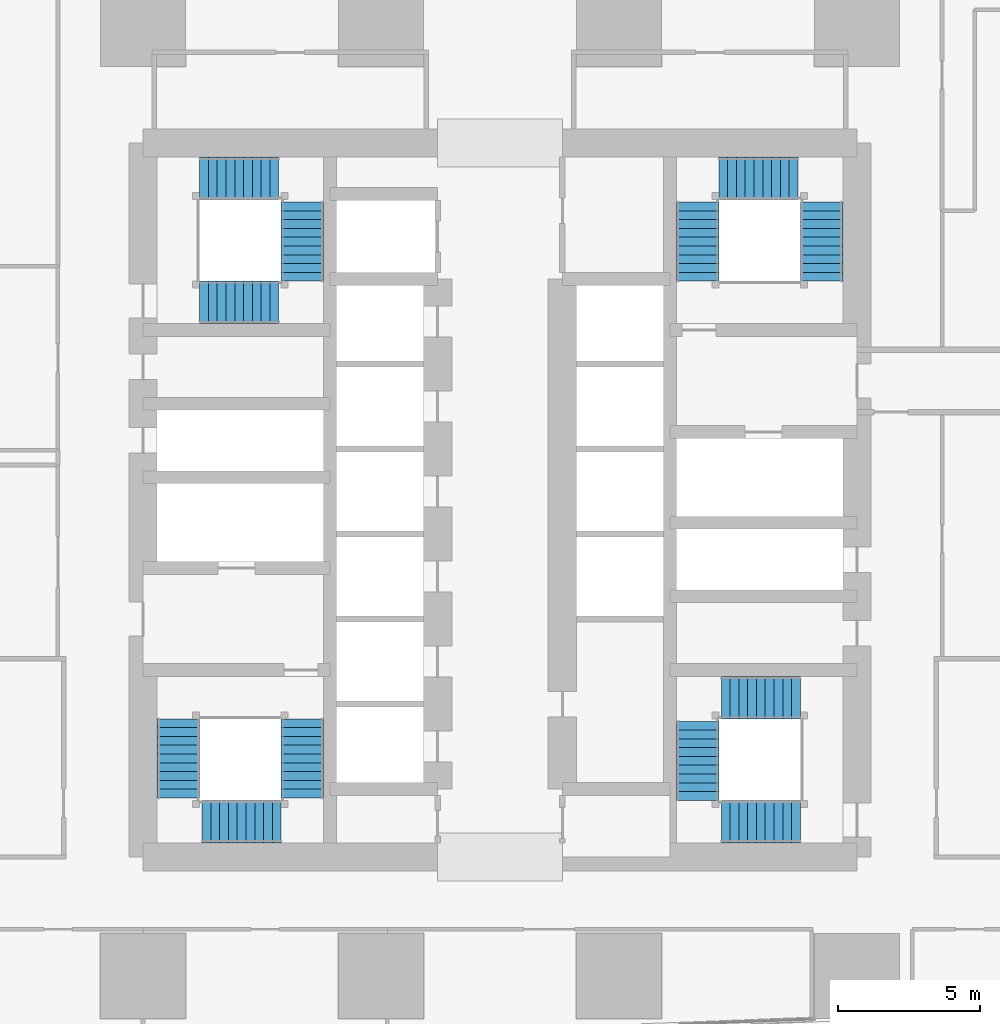
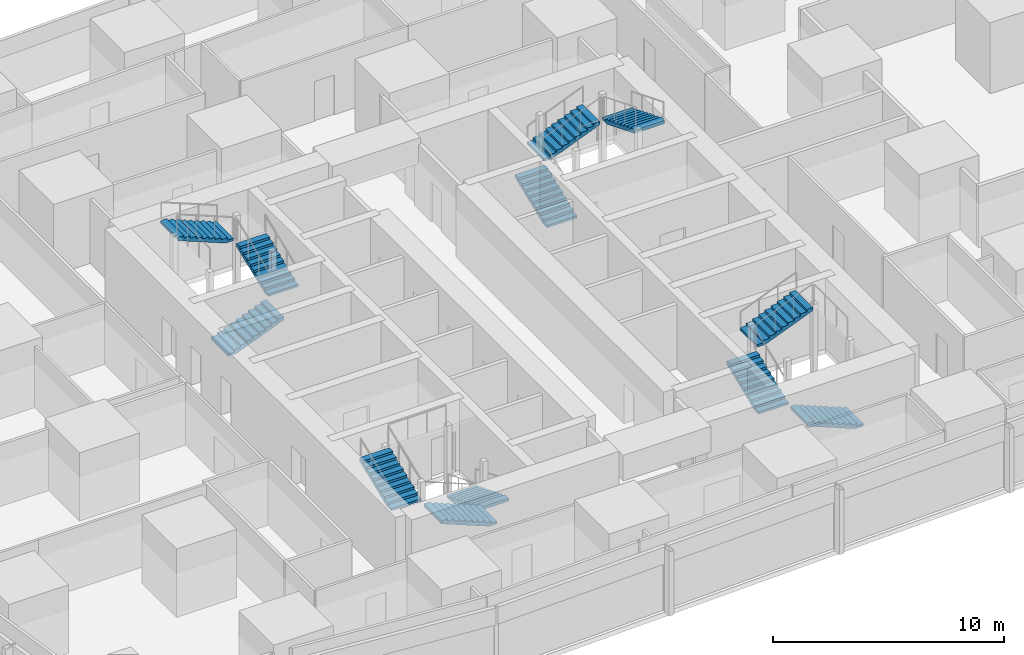
# One storey, part 30 of 38: 12 stair flights, 4 elements without a shape of their own.
"""IFC4 building model written with IfcOpenShell, lengths in metres."""

from ifc_helpers import new_model, si_unit, direction, frame, origin, place, context, subcontext, project, spatial, polyline, outline, extrude, material, type_object, element, aggregate, save


model = new_model("IFC4")

# Units and contexts
model_context = context("Model", 3, precision=1e-05, world=origin(), true_north=direction((0.0, 1.0)))
body_context = subcontext(model_context, "Body", "Model", "MODEL_VIEW")
ifc_project = project(units=[si_unit("LENGTHUNIT", "METRE"), si_unit("AREAUNIT", "SQUARE_METRE"), si_unit("VOLUMEUNIT", "CUBIC_METRE"), si_unit("PLANEANGLEUNIT", "RADIAN"), si_unit("MASSUNIT", "GRAM", prefix="KILO")], contexts=[model_context])

# Site, building, storey
site_placement = place(None, origin())
site = spatial("IfcSite", under=ifc_project, at=site_placement, CompositionType="ELEMENT")
building_placement = place(site_placement, origin())
building = spatial("IfcBuilding", under=site, at=building_placement, Name="Rekha Terrace Tower", CompositionType="ELEMENT")
storey_placement = place(building_placement, frame((0.0, 0.0, 159.050048828125)))
storey = spatial("IfcBuildingStorey", under=building, at=storey_placement, Name="L40", CompositionType="ELEMENT", Elevation=159.050048828125)

# Stair, stair flights
ifc_material = material(Name="Concrete M40", Category="concrete")
stair_type = type_object("IfcStairType", Name="ST30 stair, 30 risers of 125, going 310, 1500 wide flights, 3 flights", PredefinedType="HALF_TURN_STAIR", material=ifc_material)
stair_1_placement = place(storey_placement, origin())
stair_1 = element("IfcStair", 1, at=stair_1_placement, inside=storey, type_object=stair_type, Name="Stair ST1 L40 to L41", PredefinedType="HALF_TURN_STAIR")
stair_flight_type = type_object("IfcStairFlightType", Name="SF10 stair flight, 10 risers of 125, going 310, 1500 wide", PredefinedType="STRAIGHT", material=ifc_material)
stair_flight_1_placement = place(storey_placement, frame((30.824951171875, 25.875, 0.0), z_axis=(0.0, 0.0, 1.0), x_axis=(0.0, -1.0, 0.0)))
stair_flight_1 = element("IfcStairFlight", 2, at=stair_flight_1_placement, type_object=stair_flight_type, Name="ST1 flight 1", NumberOfRisers=10, NumberOfTreads=9, PredefinedType="STRAIGHT", RiserHeight=0.125, TreadLength=0.31, context=body_context, shape_type="SweptSolid", body=[
    extrude(outline(polyline([(0.0, 0.0), (0.0, 0.125), (0.31005859375, 0.125), (0.31005859375, 0.25), (0.6201171875, 0.25), (0.6201171875, 0.375), (0.929931640625, 0.375), (0.929931640625, 0.5), (1.239990234375, 0.5), (1.239990234375, 0.625), (1.550048828125, 0.625), (1.550048828125, 0.75), (1.860107421875, 0.75), (1.860107421875, 0.875), (2.169921875, 0.875), (2.169921875, 1.0), (2.47998046875, 1.0), (2.47998046875, 1.125), (2.7900390625, 1.125), (2.7900390625, 1.25), (2.7900390625, 0.96337890625), (0.40087890625, 0.0), (0.0, 0.0)])), frame((0.0, 0.75, 0.0), z_axis=(0.0, -1.0, 0.0), x_axis=(1.0, 0.0, 0.0)), (0.0, 0.0, 1.0), 1.5),
])
stair_flight_2_placement = place(storey_placement, frame((30.074951171875, 22.25, 1.25), z_axis=(0.0, 0.0, 1.0), x_axis=(-1.0, 0.0, 0.0)))
stair_flight_2 = element("IfcStairFlight", 3, at=stair_flight_2_placement, type_object=stair_flight_type, Name="ST1 flight 2", NumberOfRisers=10, NumberOfTreads=9, PredefinedType="STRAIGHT", RiserHeight=0.125, TreadLength=0.31, context=body_context, shape_type="SweptSolid", body=[
    extrude(outline(polyline([(0.0, 0.0), (0.0, 0.125), (0.31005859375, 0.125), (0.31005859375, 0.25), (0.6201171875, 0.25), (0.6201171875, 0.375), (0.929931640625, 0.375), (0.929931640625, 0.5), (1.239990234375, 0.5), (1.239990234375, 0.625), (1.550048828125, 0.625), (1.550048828125, 0.75), (1.860107421875, 0.75), (1.860107421875, 0.875), (2.169921875, 0.875), (2.169921875, 1.0), (2.47998046875, 1.0), (2.47998046875, 1.125), (2.7900390625, 1.125), (2.7900390625, 1.25), (2.7900390625, 0.96337890625), (0.40087890625, 0.0), (0.0, 0.0)])), frame((0.0, 0.75, 0.0), z_axis=(0.0, -1.0, 0.0), x_axis=(1.0, 0.0, 0.0)), (0.0, 0.0, 1.0), 1.5),
])
stair_flight_3_placement = place(storey_placement, frame((26.449951171875, 23.0849609375, 2.5), z_axis=(0.0, 0.0, 1.0), x_axis=(0.0, 1.0, 0.0)))
stair_flight_3 = element("IfcStairFlight", 4, at=stair_flight_3_placement, type_object=stair_flight_type, Name="ST1 flight 3", NumberOfRisers=10, NumberOfTreads=9, PredefinedType="STRAIGHT", RiserHeight=0.125, TreadLength=0.31, context=body_context, shape_type="SweptSolid", body=[
    extrude(outline(polyline([(0.0, 0.0), (0.0, 0.125), (0.31005859375, 0.125), (0.31005859375, 0.25), (0.6201171875, 0.25), (0.6201171875, 0.375), (0.929931640625, 0.375), (0.929931640625, 0.5), (1.239990234375, 0.5), (1.239990234375, 0.625), (1.550048828125, 0.625), (1.550048828125, 0.75), (1.860107421875, 0.75), (1.860107421875, 0.875), (2.169921875, 0.875), (2.169921875, 1.0), (2.47998046875, 1.0), (2.47998046875, 1.125), (2.7900390625, 1.125), (2.7900390625, 1.25), (2.7900390625, 0.96337890625), (0.40087890625, 0.0), (0.0, 0.0)])), frame((0.0, 0.75, 0.0), z_axis=(0.0, -1.0, 0.0), x_axis=(1.0, 0.0, 0.0)), (0.0, 0.0, 1.0), 1.5),
])
aggregate(stair_1, [stair_flight_1, stair_flight_2, stair_flight_3])

stair_2_placement = place(storey_placement, origin())
stair_2 = element("IfcStair", 5, at=stair_2_placement, inside=storey, type_object=stair_type, Name="Stair ST2 L40 to L41", PredefinedType="HALF_TURN_STAIR")
stair_flight_4_placement = place(storey_placement, frame((44.77490234375, 41.324951171875, 0.0), z_axis=(0.0, 0.0, 1.0), x_axis=(0.0, 1.0, 0.0)))
stair_flight_4 = element("IfcStairFlight", 6, at=stair_flight_4_placement, type_object=stair_flight_type, Name="ST2 flight 1", NumberOfRisers=10, NumberOfTreads=9, PredefinedType="STRAIGHT", RiserHeight=0.125, TreadLength=0.31, context=body_context, shape_type="SweptSolid", body=[
    extrude(outline(polyline([(0.0, 0.0), (0.0, 0.125), (0.31005859375, 0.125), (0.31005859375, 0.25), (0.6201171875, 0.25), (0.6201171875, 0.375), (0.929931640625, 0.375), (0.929931640625, 0.5), (1.239990234375, 0.5), (1.239990234375, 0.625), (1.550048828125, 0.625), (1.550048828125, 0.75), (1.860107421875, 0.75), (1.860107421875, 0.875), (2.169921875, 0.875), (2.169921875, 1.0), (2.47998046875, 1.0), (2.47998046875, 1.125), (2.7900390625, 1.125), (2.7900390625, 1.25), (2.7900390625, 0.96337890625), (0.40087890625, 0.0), (0.0, 0.0)])), frame((0.0, 0.75, 0.0), z_axis=(0.0, -1.0, 0.0), x_axis=(1.0, 0.0, 0.0)), (0.0, 0.0, 1.0), 1.5),
])
stair_flight_5_placement = place(storey_placement, frame((45.52490234375, 44.949951171875, 1.25), z_axis=(0.0, 0.0, 1.0), x_axis=(1.0, 0.0, 0.0)))
stair_flight_5 = element("IfcStairFlight", 7, at=stair_flight_5_placement, type_object=stair_flight_type, Name="ST2 flight 2", NumberOfRisers=10, NumberOfTreads=9, PredefinedType="STRAIGHT", RiserHeight=0.125, TreadLength=0.31, context=body_context, shape_type="SweptSolid", body=[
    extrude(outline(polyline([(0.0, 0.0), (0.0, 0.125), (0.31005859375, 0.125), (0.31005859375, 0.25), (0.6201171875, 0.25), (0.6201171875, 0.375), (0.929931640625, 0.375), (0.929931640625, 0.5), (1.239990234375, 0.5), (1.239990234375, 0.625), (1.550048828125, 0.625), (1.550048828125, 0.75), (1.860107421875, 0.75), (1.860107421875, 0.875), (2.169921875, 0.875), (2.169921875, 1.0), (2.47998046875, 1.0), (2.47998046875, 1.125), (2.7900390625, 1.125), (2.7900390625, 1.25), (2.7900390625, 0.96337890625), (0.40087890625, 0.0), (0.0, 0.0)])), frame((0.0, 0.75, 0.0), z_axis=(0.0, -1.0, 0.0), x_axis=(1.0, 0.0, 0.0)), (0.0, 0.0, 1.0), 1.5),
])
stair_flight_6_placement = place(storey_placement, frame((49.14990234375, 44.114990234375, 2.5), z_axis=(0.0, 0.0, 1.0), x_axis=(0.0, -1.0, 0.0)))
stair_flight_6 = element("IfcStairFlight", 8, at=stair_flight_6_placement, type_object=stair_flight_type, Name="ST2 flight 3", NumberOfRisers=10, NumberOfTreads=9, PredefinedType="STRAIGHT", RiserHeight=0.125, TreadLength=0.31, context=body_context, shape_type="SweptSolid", body=[
    extrude(outline(polyline([(0.0, 0.0), (0.0, 0.125), (0.31005859375, 0.125), (0.31005859375, 0.25), (0.6201171875, 0.25), (0.6201171875, 0.375), (0.929931640625, 0.375), (0.929931640625, 0.5), (1.239990234375, 0.5), (1.239990234375, 0.625), (1.550048828125, 0.625), (1.550048828125, 0.75), (1.860107421875, 0.75), (1.860107421875, 0.875), (2.169921875, 0.875), (2.169921875, 1.0), (2.47998046875, 1.0), (2.47998046875, 1.125), (2.7900390625, 1.125), (2.7900390625, 1.25), (2.7900390625, 0.96337890625), (0.40087890625, 0.0), (0.0, 0.0)])), frame((0.0, 0.75, 0.0), z_axis=(0.0, -1.0, 0.0), x_axis=(1.0, 0.0, 0.0)), (0.0, 0.0, 1.0), 1.5),
])
aggregate(stair_2, [stair_flight_4, stair_flight_5, stair_flight_6])

stair_3_placement = place(storey_placement, origin())
stair_3 = element("IfcStair", 9, at=stair_3_placement, inside=storey, type_object=stair_type, Name="Stair ST3 L40 to L41", PredefinedType="HALF_TURN_STAIR")
stair_flight_7_placement = place(storey_placement, frame((48.39990234375, 22.25, 0.0), z_axis=(0.0, 0.0, 1.0), x_axis=(-1.0, 0.0, 0.0)))
stair_flight_7 = element("IfcStairFlight", 10, at=stair_flight_7_placement, type_object=stair_flight_type, Name="ST3 flight 1", NumberOfRisers=10, NumberOfTreads=9, PredefinedType="STRAIGHT", RiserHeight=0.125, TreadLength=0.31, context=body_context, shape_type="SweptSolid", body=[
    extrude(outline(polyline([(0.0, 0.0), (0.0, 0.125), (0.31005859375, 0.125), (0.31005859375, 0.25), (0.6201171875, 0.25), (0.6201171875, 0.375), (0.929931640625, 0.375), (0.929931640625, 0.5), (1.239990234375, 0.5), (1.239990234375, 0.625), (1.550048828125, 0.625), (1.550048828125, 0.75), (1.860107421875, 0.75), (1.860107421875, 0.875), (2.169921875, 0.875), (2.169921875, 1.0), (2.47998046875, 1.0), (2.47998046875, 1.125), (2.7900390625, 1.125), (2.7900390625, 1.25), (2.7900390625, 0.96337890625), (0.40087890625, 0.0), (0.0, 0.0)])), frame((0.0, 0.75, 0.0), z_axis=(0.0, -1.0, 0.0), x_axis=(1.0, 0.0, 0.0)), (0.0, 0.0, 1.0), 1.5),
])
stair_flight_8_placement = place(storey_placement, frame((44.77490234375, 23.0, 1.25), z_axis=(0.0, 0.0, 1.0), x_axis=(0.0, 1.0, 0.0)))
stair_flight_8 = element("IfcStairFlight", 11, at=stair_flight_8_placement, type_object=stair_flight_type, Name="ST3 flight 2", NumberOfRisers=10, NumberOfTreads=9, PredefinedType="STRAIGHT", RiserHeight=0.125, TreadLength=0.31, context=body_context, shape_type="SweptSolid", body=[
    extrude(outline(polyline([(0.0, 0.0), (0.0, 0.125), (0.31005859375, 0.125), (0.31005859375, 0.25), (0.6201171875, 0.25), (0.6201171875, 0.375), (0.929931640625, 0.375), (0.929931640625, 0.5), (1.239990234375, 0.5), (1.239990234375, 0.625), (1.550048828125, 0.625), (1.550048828125, 0.75), (1.860107421875, 0.75), (1.860107421875, 0.875), (2.169921875, 0.875), (2.169921875, 1.0), (2.47998046875, 1.0), (2.47998046875, 1.125), (2.7900390625, 1.125), (2.7900390625, 1.25), (2.7900390625, 0.96337890625), (0.40087890625, 0.0), (0.0, 0.0)])), frame((0.0, 0.75, 0.0), z_axis=(0.0, -1.0, 0.0), x_axis=(1.0, 0.0, 0.0)), (0.0, 0.0, 1.0), 1.5),
])
stair_flight_9_placement = place(storey_placement, frame((45.610107421875, 26.625, 2.5), z_axis=(0.0, 0.0, 1.0), x_axis=(1.0, 0.0, 0.0)))
stair_flight_9 = element("IfcStairFlight", 12, at=stair_flight_9_placement, type_object=stair_flight_type, Name="ST3 flight 3", NumberOfRisers=10, NumberOfTreads=9, PredefinedType="STRAIGHT", RiserHeight=0.125, TreadLength=0.31, context=body_context, shape_type="SweptSolid", body=[
    extrude(outline(polyline([(0.0, 0.0), (0.0, 0.125), (0.31005859375, 0.125), (0.31005859375, 0.25), (0.6201171875, 0.25), (0.6201171875, 0.375), (0.929931640625, 0.375), (0.929931640625, 0.5), (1.239990234375, 0.5), (1.239990234375, 0.625), (1.550048828125, 0.625), (1.550048828125, 0.75), (1.860107421875, 0.75), (1.860107421875, 0.875), (2.169921875, 0.875), (2.169921875, 1.0), (2.47998046875, 1.0), (2.47998046875, 1.125), (2.7900390625, 1.125), (2.7900390625, 1.25), (2.7900390625, 0.96337890625), (0.40087890625, 0.0), (0.0, 0.0)])), frame((0.0, 0.75, 0.0), z_axis=(0.0, -1.0, 0.0), x_axis=(1.0, 0.0, 0.0)), (0.0, 0.0, 1.0), 1.5),
])
aggregate(stair_3, [stair_flight_7, stair_flight_8, stair_flight_9])

stair_4_placement = place(storey_placement, origin())
stair_4 = element("IfcStair", 13, at=stair_4_placement, inside=storey, type_object=stair_type, Name="Stair ST4 L40 to L41", PredefinedType="HALF_TURN_STAIR")
stair_flight_10_placement = place(storey_placement, frame((27.199951171875, 40.574951171875, 0.0), z_axis=(0.0, 0.0, 1.0), x_axis=(1.0, 0.0, 0.0)))
stair_flight_10 = element("IfcStairFlight", 14, at=stair_flight_10_placement, type_object=stair_flight_type, Name="ST4 flight 1", NumberOfRisers=10, NumberOfTreads=9, PredefinedType="STRAIGHT", RiserHeight=0.125, TreadLength=0.31, context=body_context, shape_type="SweptSolid", body=[
    extrude(outline(polyline([(0.0, 0.0), (0.0, 0.125), (0.31005859375, 0.125), (0.31005859375, 0.25), (0.6201171875, 0.25), (0.6201171875, 0.375), (0.929931640625, 0.375), (0.929931640625, 0.5), (1.239990234375, 0.5), (1.239990234375, 0.625), (1.550048828125, 0.625), (1.550048828125, 0.75), (1.860107421875, 0.75), (1.860107421875, 0.875), (2.169921875, 0.875), (2.169921875, 1.0), (2.47998046875, 1.0), (2.47998046875, 1.125), (2.7900390625, 1.125), (2.7900390625, 1.25), (2.7900390625, 0.96337890625), (0.40087890625, 0.0), (0.0, 0.0)])), frame((0.0, 0.75, 0.0), z_axis=(0.0, -1.0, 0.0), x_axis=(1.0, 0.0, 0.0)), (0.0, 0.0, 1.0), 1.5),
])
stair_flight_11_placement = place(storey_placement, frame((30.824951171875, 41.324951171875, 1.25), z_axis=(0.0, 0.0, 1.0), x_axis=(0.0, 1.0, 0.0)))
stair_flight_11 = element("IfcStairFlight", 15, at=stair_flight_11_placement, type_object=stair_flight_type, Name="ST4 flight 2", NumberOfRisers=10, NumberOfTreads=9, PredefinedType="STRAIGHT", RiserHeight=0.125, TreadLength=0.31, context=body_context, shape_type="SweptSolid", body=[
    extrude(outline(polyline([(0.0, 0.0), (0.0, 0.125), (0.31005859375, 0.125), (0.31005859375, 0.25), (0.6201171875, 0.25), (0.6201171875, 0.375), (0.929931640625, 0.375), (0.929931640625, 0.5), (1.239990234375, 0.5), (1.239990234375, 0.625), (1.550048828125, 0.625), (1.550048828125, 0.75), (1.860107421875, 0.75), (1.860107421875, 0.875), (2.169921875, 0.875), (2.169921875, 1.0), (2.47998046875, 1.0), (2.47998046875, 1.125), (2.7900390625, 1.125), (2.7900390625, 1.25), (2.7900390625, 0.96337890625), (0.40087890625, 0.0), (0.0, 0.0)])), frame((0.0, 0.75, 0.0), z_axis=(0.0, -1.0, 0.0), x_axis=(1.0, 0.0, 0.0)), (0.0, 0.0, 1.0), 1.5),
])
stair_flight_12_placement = place(storey_placement, frame((29.989990234375, 44.949951171875, 2.5), z_axis=(0.0, 0.0, 1.0), x_axis=(-1.0, 0.0, 0.0)))
stair_flight_12 = element("IfcStairFlight", 16, at=stair_flight_12_placement, type_object=stair_flight_type, Name="ST4 flight 3", NumberOfRisers=10, NumberOfTreads=9, PredefinedType="STRAIGHT", RiserHeight=0.125, TreadLength=0.31, context=body_context, shape_type="SweptSolid", body=[
    extrude(outline(polyline([(0.0, 0.0), (0.0, 0.125), (0.31005859375, 0.125), (0.31005859375, 0.25), (0.6201171875, 0.25), (0.6201171875, 0.375), (0.929931640625, 0.375), (0.929931640625, 0.5), (1.239990234375, 0.5), (1.239990234375, 0.625), (1.550048828125, 0.625), (1.550048828125, 0.75), (1.860107421875, 0.75), (1.860107421875, 0.875), (2.169921875, 0.875), (2.169921875, 1.0), (2.47998046875, 1.0), (2.47998046875, 1.125), (2.7900390625, 1.125), (2.7900390625, 1.25), (2.7900390625, 0.96337890625), (0.40087890625, 0.0), (0.0, 0.0)])), frame((0.0, 0.75, 0.0), z_axis=(0.0, -1.0, 0.0), x_axis=(1.0, 0.0, 0.0)), (0.0, 0.0, 1.0), 1.5),
])
aggregate(stair_4, [stair_flight_10, stair_flight_11, stair_flight_12])

save(model, "model.ifc")
